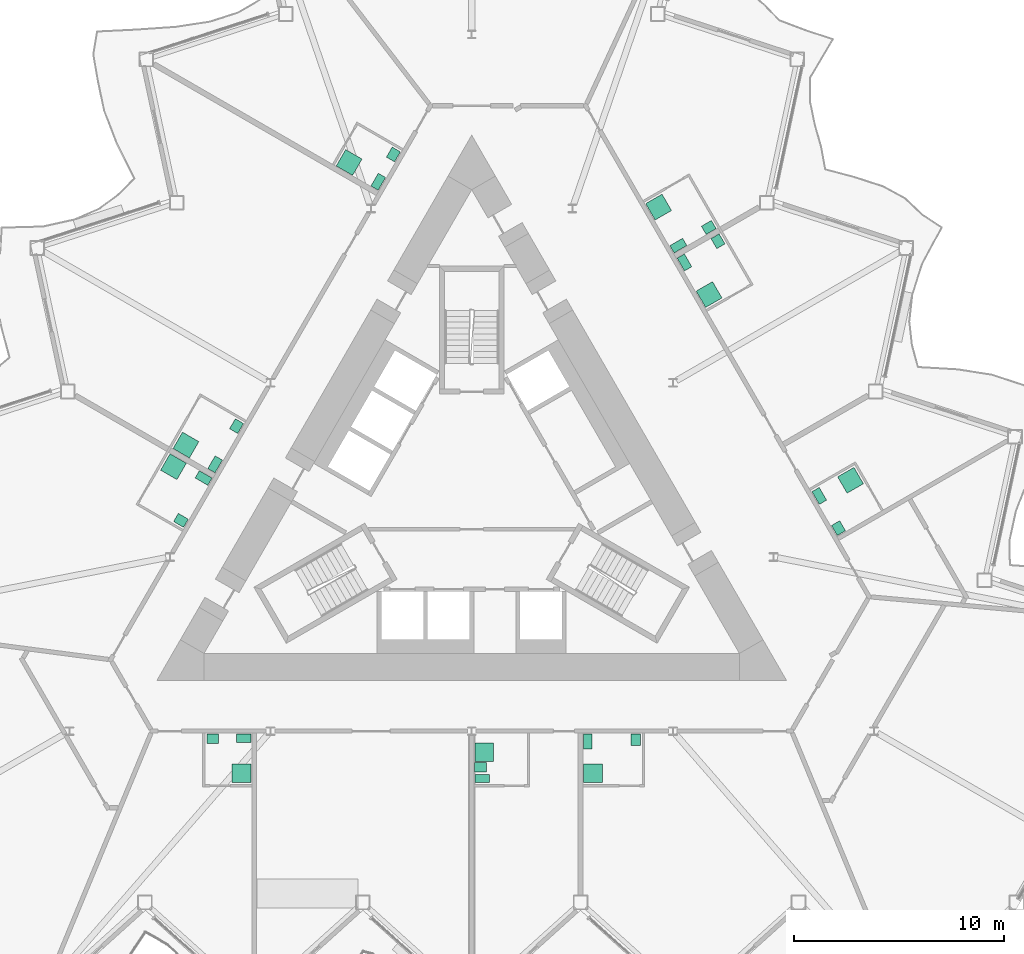
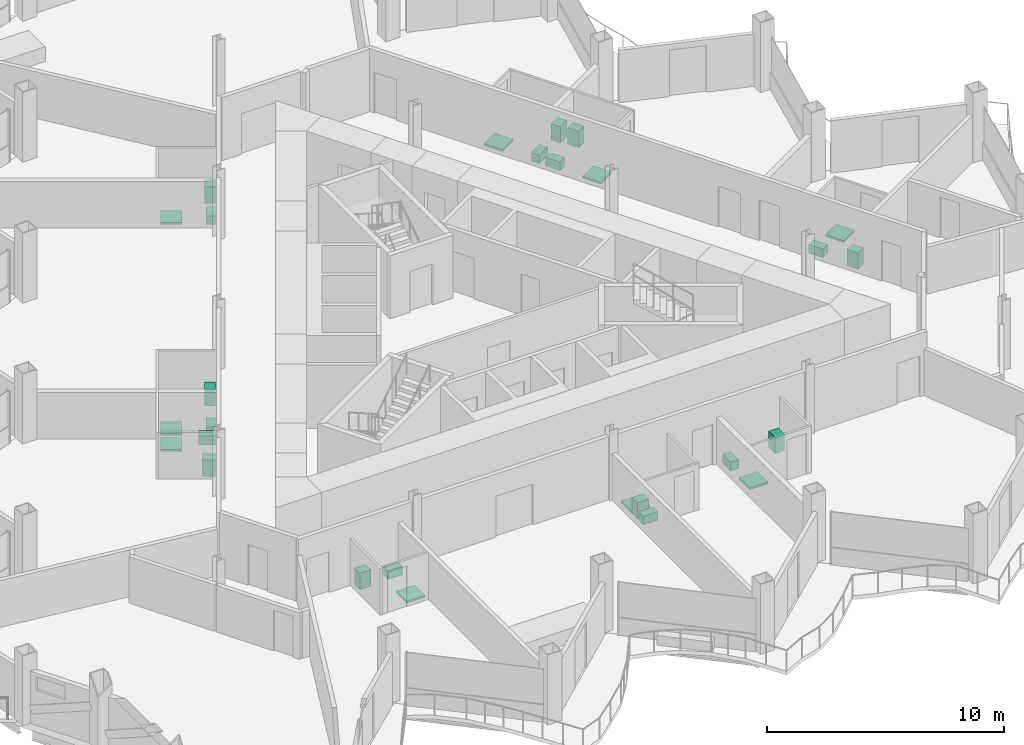
# One storey, part 22 of 23: 27 sanitary terminals.
"""IFC4 building model written with IfcOpenShell, lengths in metres."""

from ifc_helpers import new_model, si_unit, direction, frame, origin, origin_2d, place, context, subcontext, project, spatial, rectangle, extrude, material, type_object, element, save


model = new_model("IFC4")

# Units and contexts
model_context = context("Model", 3, precision=1e-05, world=origin(), true_north=direction((0.0, 1.0)))
body_context = subcontext(model_context, "Body", "Model", "MODEL_VIEW")
ifc_project = project(units=[si_unit("LENGTHUNIT", "METRE"), si_unit("AREAUNIT", "SQUARE_METRE"), si_unit("VOLUMEUNIT", "CUBIC_METRE"), si_unit("PLANEANGLEUNIT", "RADIAN"), si_unit("MASSUNIT", "GRAM", prefix="KILO")], contexts=[model_context])

# Site, building, storey
site_placement = place(None, origin())
site = spatial("IfcSite", under=ifc_project, at=site_placement, CompositionType="ELEMENT")
building_placement = place(site_placement, origin())
building = spatial("IfcBuilding", under=site, at=building_placement, Name="Cormorant Prow Tower", CompositionType="ELEMENT")
storey_placement = place(building_placement, frame((0.0, 0.0, 256.199951171875)))
storey = spatial("IfcBuildingStorey", under=building, at=storey_placement, Name="L57", CompositionType="ELEMENT", Elevation=256.199951171875)

# Sanitary terminals
ifc_material_1 = material(Name="Vitreous china")
sanitary_terminal_type_1 = type_object("IfcSanitaryTerminalType", Name="Shower tray 900x900", PredefinedType="SHOWER", material=ifc_material_1)
for number, where, z_axis, x_axis, name in (
    (1, (-10.9541015625, -13.065185546875, 0.0), (0.0, 0.0, 1.0), (-1.0, 0.0, 0.0), "Shower tray"),
    (2, (0.594970703125, -12.065185546875, 0.0), (0.0, 0.0, 1.0), (1.0, 0.0, 0.0), "Shower tray"),
    (3, (5.7744140625, -13.065185546875, 0.0), (0.0, 0.0, 1.0), (0.0, 1.0, 0.0), "Shower tray"),
    (4, (18.039794921875, 0.884521484375, 0.0), (0.0, 0.0, 1.0), (0.5, -0.866025403784, 0.0), "Shower tray"),
    (5, (11.3046875, 9.73046875, 0.0), (0.0, 0.0, 1.0), (-0.5, 0.866025403784, 0.0), "Shower tray"),
    (6, (8.899658203125, 13.89599609375, 0.0), (0.0, 0.0, 1.0), (0.866025403784, 0.5, 0.0), "Shower tray"),
    (7, (-5.837890625, 16.01904296875, 0.0), (0.0, 0.0, 1.0), (0.5, 0.866025403784, 0.0), "Shower tray"),
    (8, (-13.607177734375, 2.562255859375, 0.0), (0.0, 0.0, 1.0), (0.5, 0.866025403784, 0.0), "Shower tray"),
    (9, (-14.2021484375, 1.53173828125, 0.0), (0.0, 0.0, 1.0), (0.866025403784, -0.5, 0.0), "Shower tray"),
):
    element("IfcSanitaryTerminal", number, at=place(storey_placement, frame(where, z_axis=z_axis, x_axis=x_axis)), inside=storey, type_object=sanitary_terminal_type_1, Name=name, PredefinedType="SHOWER", context=body_context, shape_type="SweptSolid", body=[
        extrude(rectangle(XDim=0.89990234375, YDim=0.89990234375, at=origin_2d()), origin(), (0.0, 0.0, 1.0), 0.10009765625),
    ])
ifc_material_2 = material(Name="Vitreous china")
sanitary_terminal_type_2 = type_object("IfcSanitaryTerminalType", Name="Wash basin 550x450", PredefinedType="WASHHANDBASIN", material=ifc_material_2)
for number, where, z_axis, x_axis, name in (
    (10, (-12.339111328125, -11.430419921875, 0.0), (0.0, 0.0, 1.0), (1.0, 0.0, 0.0), "Wash basin"),
    (11, (0.419921875, -12.790283203125, 0.0), (0.0, 0.0, 1.0), (1.0, 0.0, 0.0), "Wash basin"),
    (12, (7.8095703125, -11.480224609375, 0.0), (0.0, 0.0, 1.0), (0.0, -1.0, 0.0), "Wash basin"),
    (13, (17.466552734375, -1.392333984375, 0.0), (0.0, 0.0, 1.0), (-0.5, 0.866025403784, 0.0), "Wash basin"),
    (14, (11.72802734375, 12.26708984375, 0.0), (0.0, 0.0, 1.0), (0.5, -0.866025403784, 0.0), "Wash basin"),
    (15, (11.289794921875, 12.926025390625, 0.0), (0.0, 0.0, 1.0), (-0.866025403784, -0.5, 0.0), "Wash basin"),
    (16, (-3.7294921875, 16.40087890625, 0.0), (0.0, 0.0, 1.0), (-0.5, -0.866025403784, 0.0), "Wash basin"),
    (17, (-11.198486328125, 3.4638671875, 0.0), (0.0, 0.0, 1.0), (-0.5, -0.866025403784, 0.0), "Wash basin"),
    (18, (-13.846923828125, -1.023193359375, 0.0), (0.0, 0.0, 1.0), (-0.866025403784, 0.5, 0.0), "Wash basin"),
):
    element("IfcSanitaryTerminal", number, at=place(storey_placement, frame(where, z_axis=z_axis, x_axis=x_axis)), inside=storey, type_object=sanitary_terminal_type_2, Name=name, PredefinedType="WASHHANDBASIN", context=body_context, shape_type="SweptSolid", body=[
        extrude(rectangle(XDim=0.550048828125, YDim=0.449951171875, at=origin_2d()), origin(), (0.0, 0.0, 1.0), 0.85009765625),
    ])
ifc_material_3 = material(Name="Vitreous china")
sanitary_terminal_type_3 = type_object("IfcSanitaryTerminalType", Name="Water closet 400x700", PredefinedType="WCSEAT", material=ifc_material_3)
for number, where, z_axis, x_axis, name in (
    (19, (-10.85400390625, -11.4052734375, 0.0), (0.0, 0.0, 1.0), (0.0, -1.0, 0.0), "Water closet"),
    (20, (0.4951171875, -13.315185546875, 0.0), (0.0, 0.0, 1.0), (0.0, 1.0, 0.0), "Water closet"),
    (21, (5.5244140625, -11.555419921875, 0.0), (0.0, 0.0, 1.0), (1.0, 0.0, 0.0), "Water closet"),
    (22, (16.55224609375, 0.14111328125, 0.0), (0.0, 0.0, 1.0), (0.866025403784, 0.5, 0.0), "Water closet"),
    (23, (10.133056640625, 11.259521484375, 0.0), (0.0, 0.0, 1.0), (0.866025403784, 0.5, 0.0), "Water closet"),
    (24, (9.843017578125, 12.06201171875, 0.0), (0.0, 0.0, 1.0), (-0.5, 0.866025403784, 0.0), "Water closet"),
    (25, (-4.4501953125, 15.1025390625, 0.0), (0.0, 0.0, 1.0), (-0.866025403784, 0.5, 0.0), "Water closet"),
    (26, (-12.219482421875, 1.645751953125, 0.0), (0.0, 0.0, 1.0), (-0.866025403784, 0.5, 0.0), "Water closet"),
    (27, (-12.769287109375, 0.993408203125, 0.0), (0.0, 0.0, 1.0), (-0.5, -0.866025403784, 0.0), "Water closet"),
):
    element("IfcSanitaryTerminal", number, at=place(storey_placement, frame(where, z_axis=z_axis, x_axis=x_axis)), inside=storey, type_object=sanitary_terminal_type_3, Name=name, PredefinedType="WCSEAT", context=body_context, shape_type="SweptSolid", body=[
        extrude(rectangle(XDim=0.39990234375, YDim=0.699951171875, at=origin_2d()), origin(), (0.0, 0.0, 1.0), 0.449951171875),
    ])

save(model, "model.ifc")
